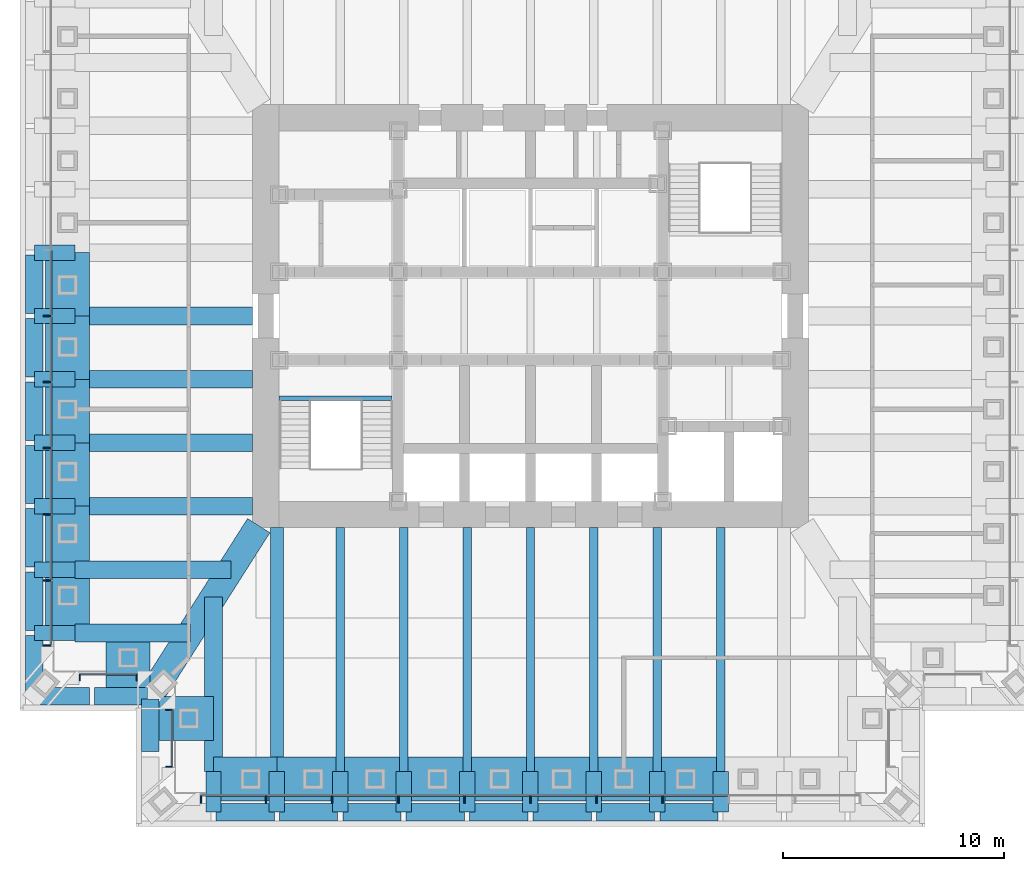
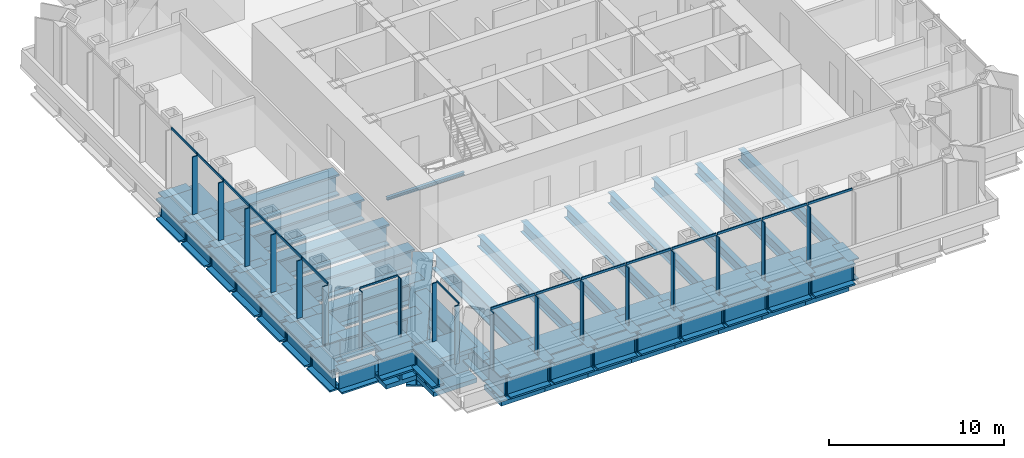
# One storey, part 2 of 12: 67 beams, 34 members, 4 elements without a shape of their own.
"""IFC4 building model written with IfcOpenShell, lengths in metres."""

from ifc_helpers import new_model, si_unit, direction, frame, origin, origin_2d, place, context, subcontext, project, spatial, rectangle, i_section, extrude, material, material_profile, profile_set, type_object, element, aggregate, save


model = new_model("IFC4")

# Units and contexts
model_context = context("Model", 3, precision=1e-05, world=origin(), true_north=direction((0.0, 1.0)))
body_context = subcontext(model_context, "Body", "Model", "MODEL_VIEW")
ifc_project = project(units=[si_unit("LENGTHUNIT", "METRE"), si_unit("AREAUNIT", "SQUARE_METRE"), si_unit("VOLUMEUNIT", "CUBIC_METRE"), si_unit("PLANEANGLEUNIT", "RADIAN"), si_unit("MASSUNIT", "GRAM", prefix="KILO")], contexts=[model_context])

# Site, building, storey
site_placement = place(None, origin())
site = spatial("IfcSite", under=ifc_project, at=site_placement, CompositionType="ELEMENT")
building_placement = place(site_placement, origin())
building = spatial("IfcBuilding", under=site, at=building_placement, Name="Daluyong Arena Tower", CompositionType="ELEMENT")
storey_placement = place(building_placement, frame((0.0, 0.0, 181.300048828125)))
storey = spatial("IfcBuildingStorey", under=building, at=storey_placement, Name="L40", CompositionType="ELEMENT", Elevation=181.300048828125)

# Curtain wall, members
ifc_material_1 = material(Name="Bronze anodised aluminium and glass", Category="aluminium")
curtain_wall_type_1 = type_object("IfcCurtainWallType", Name="Curtain wall CW3", PredefinedType="USERDEFINED", material=ifc_material_1)
curtain_wall_1_placement = place(storey_placement, origin())
curtain_wall_1 = element("IfcCurtainWall", 1, at=curtain_wall_1_placement, inside=storey, type_object=curtain_wall_type_1, Name="curtain wall L40 S", ObjectType="UNITISED CURTAIN WALL", PredefinedType="USERDEFINED")
ifc_material_2 = material(Name="Bronze anodised aluminium fin", Category="aluminium")
ifc_material_profile_1 = material_profile(ifc_material_2, rectangle(XDim=0.35009765625, YDim=0.070068359375, at=origin_2d()))
ifc_profile_set_1 = profile_set([ifc_material_profile_1], Name="Bronze anodised aluminium fin")
member_type_1 = type_object("IfcMemberType", Name="CW3 bronze fin 350x70", PredefinedType="MULLION", material=ifc_profile_set_1)
member_1_placement = place(storey_placement, frame((41.050537109375, 58.074951171875, 0.0), z_axis=(0.0, 0.0, 1.0), x_axis=(0.0, 1.0, 0.0)))
member_1 = element("IfcMember", 2, at=member_1_placement, type_object=member_type_1, Name="curtain wall L40 S fin 1", PredefinedType="MULLION", context=body_context, shape_type="SweptSolid", body=[
    extrude(rectangle(XDim=0.35009765625, YDim=0.070068359375, at=origin_2d()), origin(), (0.0, 0.0, 1.0), 4.0400390625),
])
member_2_placement = place(storey_placement, frame((44.012451171875, 58.074951171875, 0.0), z_axis=(0.0, 0.0, 1.0), x_axis=(0.0, 1.0, 0.0)))
member_2 = element("IfcMember", 3, at=member_2_placement, type_object=member_type_1, Name="curtain wall L40 S fin 2", PredefinedType="MULLION", context=body_context, shape_type="SweptSolid", body=[
    extrude(rectangle(XDim=0.35009765625, YDim=0.070068359375, at=origin_2d()), origin(), (0.0, 0.0, 1.0), 4.0400390625),
])
member_3_placement = place(storey_placement, frame((47.00927734375, 58.074951171875, 0.0), z_axis=(0.0, 0.0, 1.0), x_axis=(0.0, 1.0, 0.0)))
member_3 = element("IfcMember", 4, at=member_3_placement, type_object=member_type_1, Name="curtain wall L40 S fin 3", PredefinedType="MULLION", context=body_context, shape_type="SweptSolid", body=[
    extrude(rectangle(XDim=0.35009765625, YDim=0.070068359375, at=origin_2d()), origin(), (0.0, 0.0, 1.0), 4.0400390625),
])
member_4_placement = place(storey_placement, frame((50.006103515625, 58.074951171875, 0.0), z_axis=(0.0, 0.0, 1.0), x_axis=(0.0, 1.0, 0.0)))
member_4 = element("IfcMember", 5, at=member_4_placement, type_object=member_type_1, Name="curtain wall L40 S fin 4", PredefinedType="MULLION", context=body_context, shape_type="SweptSolid", body=[
    extrude(rectangle(XDim=0.35009765625, YDim=0.070068359375, at=origin_2d()), origin(), (0.0, 0.0, 1.0), 4.0400390625),
])
member_5_placement = place(storey_placement, frame((53.003173828125, 58.074951171875, 0.0), z_axis=(0.0, 0.0, 1.0), x_axis=(0.0, 1.0, 0.0)))
member_5 = element("IfcMember", 6, at=member_5_placement, type_object=member_type_1, Name="curtain wall L40 S fin 5", PredefinedType="MULLION", context=body_context, shape_type="SweptSolid", body=[
    extrude(rectangle(XDim=0.35009765625, YDim=0.070068359375, at=origin_2d()), origin(), (0.0, 0.0, 1.0), 4.0400390625),
])
member_6_placement = place(storey_placement, frame((56.0, 58.074951171875, 0.0), z_axis=(0.0, 0.0, 1.0), x_axis=(0.0, 1.0, 0.0)))
member_6 = element("IfcMember", 7, at=member_6_placement, type_object=member_type_1, Name="curtain wall L40 S fin 6", PredefinedType="MULLION", context=body_context, shape_type="SweptSolid", body=[
    extrude(rectangle(XDim=0.35009765625, YDim=0.070068359375, at=origin_2d()), origin(), (0.0, 0.0, 1.0), 4.0400390625),
])
member_7_placement = place(storey_placement, frame((58.996826171875, 58.074951171875, 0.0), z_axis=(0.0, 0.0, 1.0), x_axis=(0.0, 1.0, 0.0)))
member_7 = element("IfcMember", 8, at=member_7_placement, type_object=member_type_1, Name="curtain wall L40 S fin 7", PredefinedType="MULLION", context=body_context, shape_type="SweptSolid", body=[
    extrude(rectangle(XDim=0.35009765625, YDim=0.070068359375, at=origin_2d()), origin(), (0.0, 0.0, 1.0), 4.0400390625),
])
member_8_placement = place(storey_placement, frame((61.993896484375, 58.074951171875, 0.0), z_axis=(0.0, 0.0, 1.0), x_axis=(0.0, 1.0, 0.0)))
member_8 = element("IfcMember", 9, at=member_8_placement, type_object=member_type_1, Name="curtain wall L40 S fin 8", PredefinedType="MULLION", context=body_context, shape_type="SweptSolid", body=[
    extrude(rectangle(XDim=0.35009765625, YDim=0.070068359375, at=origin_2d()), origin(), (0.0, 0.0, 1.0), 4.0400390625),
])

curtain_wall_2_placement = place(storey_placement, origin())
curtain_wall_2 = element("IfcCurtainWall", 10, at=curtain_wall_2_placement, inside=storey, type_object=curtain_wall_type_1, Name="curtain wall L40 W", ObjectType="UNITISED CURTAIN WALL", PredefinedType="USERDEFINED")
member_9_placement = place(storey_placement, frame((34.074951171875, 80.0, 0.0), z_axis=(0.0, 0.0, 1.0), x_axis=(1.0, 0.0, 0.0)))
member_9 = element("IfcMember", 11, at=member_9_placement, type_object=member_type_1, Name="curtain wall L40 W fin 6", PredefinedType="MULLION", context=body_context, shape_type="SweptSolid", body=[
    extrude(rectangle(XDim=0.35009765625, YDim=0.070068359375, at=origin_2d()), origin(), (0.0, 0.0, 1.0), 4.0400390625),
])
member_10_placement = place(storey_placement, frame((34.074951171875, 77.003173828125, 0.0), z_axis=(0.0, 0.0, 1.0), x_axis=(1.0, 0.0, 0.0)))
member_10 = element("IfcMember", 12, at=member_10_placement, type_object=member_type_1, Name="curtain wall L40 W fin 7", PredefinedType="MULLION", context=body_context, shape_type="SweptSolid", body=[
    extrude(rectangle(XDim=0.35009765625, YDim=0.070068359375, at=origin_2d()), origin(), (0.0, 0.0, 1.0), 4.0400390625),
])
member_11_placement = place(storey_placement, frame((34.074951171875, 74.006103515625, 0.0), z_axis=(0.0, 0.0, 1.0), x_axis=(1.0, 0.0, 0.0)))
member_11 = element("IfcMember", 13, at=member_11_placement, type_object=member_type_1, Name="curtain wall L40 W fin 8", PredefinedType="MULLION", context=body_context, shape_type="SweptSolid", body=[
    extrude(rectangle(XDim=0.35009765625, YDim=0.070068359375, at=origin_2d()), origin(), (0.0, 0.0, 1.0), 4.0400390625),
])
member_12_placement = place(storey_placement, frame((34.074951171875, 71.00927734375, 0.0), z_axis=(0.0, 0.0, 1.0), x_axis=(1.0, 0.0, 0.0)))
member_12 = element("IfcMember", 14, at=member_12_placement, type_object=member_type_1, Name="curtain wall L40 W fin 9", PredefinedType="MULLION", context=body_context, shape_type="SweptSolid", body=[
    extrude(rectangle(XDim=0.35009765625, YDim=0.070068359375, at=origin_2d()), origin(), (0.0, 0.0, 1.0), 4.0400390625),
])
member_13_placement = place(storey_placement, frame((34.074951171875, 68.012451171875, 0.0), z_axis=(0.0, 0.0, 1.0), x_axis=(1.0, 0.0, 0.0)))
member_13 = element("IfcMember", 15, at=member_13_placement, type_object=member_type_1, Name="curtain wall L40 W fin 10", PredefinedType="MULLION", context=body_context, shape_type="SweptSolid", body=[
    extrude(rectangle(XDim=0.35009765625, YDim=0.070068359375, at=origin_2d()), origin(), (0.0, 0.0, 1.0), 4.0400390625),
])
member_14_placement = place(storey_placement, frame((34.074951171875, 65.050537109375, 0.0), z_axis=(0.0, 0.0, 1.0), x_axis=(1.0, 0.0, 0.0)))
member_14 = element("IfcMember", 16, at=member_14_placement, type_object=member_type_1, Name="curtain wall L40 W fin 11", PredefinedType="MULLION", context=body_context, shape_type="SweptSolid", body=[
    extrude(rectangle(XDim=0.35009765625, YDim=0.070068359375, at=origin_2d()), origin(), (0.0, 0.0, 1.0), 4.0400390625),
])

# Member
ifc_material_3 = material(Name="Bronze anodised aluminium", Category="aluminium")
ifc_material_profile_2 = material_profile(ifc_material_3, rectangle(XDim=0.070068359375, YDim=0.159912109375, at=origin_2d()))
ifc_profile_set_2 = profile_set([ifc_material_profile_2], Name="Bronze anodised aluminium")
member_type_2 = type_object("IfcMemberType", Name="CW3 stack transom 160x70", PredefinedType="USERDEFINED", material=ifc_profile_set_2)
member_15_placement = place(storey_placement, frame((41.08544921875, 58.25, 4.119873046875), z_axis=(1.0, 0.0, 0.0), x_axis=(0.0, 1.0, 0.0)))
member_15 = element("IfcMember", 17, at=member_15_placement, type_object=member_type_2, Name="curtain wall L40 S transom 1", ObjectType="TRANSOM", PredefinedType="USERDEFINED", context=body_context, shape_type="SweptSolid", body=[
    extrude(rectangle(XDim=0.070068359375, YDim=0.159912109375, at=origin_2d()), origin(), (0.0, 0.0, 1.0), 2.891845703125),
])

member_16_placement = place(storey_placement, frame((44.04736328125, 58.25, 4.119873046875), z_axis=(1.0, 0.0, 0.0), x_axis=(0.0, 1.0, 0.0)))
member_16 = element("IfcMember", 18, at=member_16_placement, type_object=member_type_2, Name="curtain wall L40 S transom 2", ObjectType="TRANSOM", PredefinedType="USERDEFINED", context=body_context, shape_type="SweptSolid", body=[
    extrude(rectangle(XDim=0.070068359375, YDim=0.159912109375, at=origin_2d()), origin(), (0.0, 0.0, 1.0), 2.927001953125),
])

member_17_placement = place(storey_placement, frame((47.044189453125, 58.25, 4.119873046875), z_axis=(1.0, 0.0, 0.0), x_axis=(0.0, 1.0, 0.0)))
member_17 = element("IfcMember", 19, at=member_17_placement, type_object=member_type_2, Name="curtain wall L40 S transom 3", ObjectType="TRANSOM", PredefinedType="USERDEFINED", context=body_context, shape_type="SweptSolid", body=[
    extrude(rectangle(XDim=0.070068359375, YDim=0.159912109375, at=origin_2d()), origin(), (0.0, 0.0, 1.0), 2.927001953125),
])

member_18_placement = place(storey_placement, frame((50.041259765625, 58.25, 4.119873046875), z_axis=(1.0, 0.0, 0.0), x_axis=(0.0, 1.0, 0.0)))
member_18 = element("IfcMember", 20, at=member_18_placement, type_object=member_type_2, Name="curtain wall L40 S transom 4", ObjectType="TRANSOM", PredefinedType="USERDEFINED", context=body_context, shape_type="SweptSolid", body=[
    extrude(rectangle(XDim=0.070068359375, YDim=0.159912109375, at=origin_2d()), origin(), (0.0, 0.0, 1.0), 2.9267578125),
])

member_19_placement = place(storey_placement, frame((53.0380859375, 58.25, 4.119873046875), z_axis=(1.0, 0.0, 0.0), x_axis=(0.0, 1.0, 0.0)))
member_19 = element("IfcMember", 21, at=member_19_placement, type_object=member_type_2, Name="curtain wall L40 S transom 5", ObjectType="TRANSOM", PredefinedType="USERDEFINED", context=body_context, shape_type="SweptSolid", body=[
    extrude(rectangle(XDim=0.070068359375, YDim=0.159912109375, at=origin_2d()), origin(), (0.0, 0.0, 1.0), 2.927001953125),
])

member_20_placement = place(storey_placement, frame((56.034912109375, 58.25, 4.119873046875), z_axis=(1.0, 0.0, 0.0), x_axis=(0.0, 1.0, 0.0)))
member_20 = element("IfcMember", 22, at=member_20_placement, type_object=member_type_2, Name="curtain wall L40 S transom 6", ObjectType="TRANSOM", PredefinedType="USERDEFINED", context=body_context, shape_type="SweptSolid", body=[
    extrude(rectangle(XDim=0.070068359375, YDim=0.159912109375, at=origin_2d()), origin(), (0.0, 0.0, 1.0), 2.927001953125),
])

member_21_placement = place(storey_placement, frame((59.031982421875, 58.25, 4.119873046875), z_axis=(1.0, 0.0, 0.0), x_axis=(0.0, 1.0, 0.0)))
member_21 = element("IfcMember", 23, at=member_21_placement, type_object=member_type_2, Name="curtain wall L40 S transom 7", ObjectType="TRANSOM", PredefinedType="USERDEFINED", context=body_context, shape_type="SweptSolid", body=[
    extrude(rectangle(XDim=0.070068359375, YDim=0.159912109375, at=origin_2d()), origin(), (0.0, 0.0, 1.0), 2.9267578125),
])

member_22_placement = place(storey_placement, frame((62.02880859375, 58.25, 4.119873046875), z_axis=(1.0, 0.0, 0.0), x_axis=(0.0, 1.0, 0.0)))
member_22 = element("IfcMember", 24, at=member_22_placement, type_object=member_type_2, Name="curtain wall L40 S transom 8", ObjectType="TRANSOM", PredefinedType="USERDEFINED", context=body_context, shape_type="SweptSolid", body=[
    extrude(rectangle(XDim=0.070068359375, YDim=0.159912109375, at=origin_2d()), origin(), (0.0, 0.0, 1.0), 2.927001953125),
])

aggregate(curtain_wall_1, [member_1, member_2, member_3, member_4, member_5, member_6, member_7, member_8, member_15, member_16, member_17, member_18, member_19, member_20, member_21, member_22])

member_23_placement = place(storey_placement, frame((34.25, 82.9619140625, 4.119873046875), z_axis=(0.0, -1.0, 0.0), x_axis=(1.0, 0.0, 0.0)))
member_23 = element("IfcMember", 25, at=member_23_placement, type_object=member_type_2, Name="curtain wall L40 W transom 5", ObjectType="TRANSOM", PredefinedType="USERDEFINED", context=body_context, shape_type="SweptSolid", body=[
    extrude(rectangle(XDim=0.070068359375, YDim=0.159912109375, at=origin_2d()), origin(), (0.0, 0.0, 1.0), 2.927001953125),
])

member_24_placement = place(storey_placement, frame((34.25, 79.965087890625, 4.119873046875), z_axis=(0.0, -1.0, 0.0), x_axis=(1.0, 0.0, 0.0)))
member_24 = element("IfcMember", 26, at=member_24_placement, type_object=member_type_2, Name="curtain wall L40 W transom 6", ObjectType="TRANSOM", PredefinedType="USERDEFINED", context=body_context, shape_type="SweptSolid", body=[
    extrude(rectangle(XDim=0.070068359375, YDim=0.159912109375, at=origin_2d()), origin(), (0.0, 0.0, 1.0), 2.927001953125),
])

member_25_placement = place(storey_placement, frame((34.25, 76.968017578125, 4.119873046875), z_axis=(0.0, -1.0, 0.0), x_axis=(1.0, 0.0, 0.0)))
member_25 = element("IfcMember", 27, at=member_25_placement, type_object=member_type_2, Name="curtain wall L40 W transom 7", ObjectType="TRANSOM", PredefinedType="USERDEFINED", context=body_context, shape_type="SweptSolid", body=[
    extrude(rectangle(XDim=0.070068359375, YDim=0.159912109375, at=origin_2d()), origin(), (0.0, 0.0, 1.0), 2.9267578125),
])

member_26_placement = place(storey_placement, frame((34.25, 73.97119140625, 4.119873046875), z_axis=(0.0, -1.0, 0.0), x_axis=(1.0, 0.0, 0.0)))
member_26 = element("IfcMember", 28, at=member_26_placement, type_object=member_type_2, Name="curtain wall L40 W transom 8", ObjectType="TRANSOM", PredefinedType="USERDEFINED", context=body_context, shape_type="SweptSolid", body=[
    extrude(rectangle(XDim=0.070068359375, YDim=0.159912109375, at=origin_2d()), origin(), (0.0, 0.0, 1.0), 2.927001953125),
])

member_27_placement = place(storey_placement, frame((34.25, 70.974365234375, 4.119873046875), z_axis=(0.0, -1.0, 0.0), x_axis=(1.0, 0.0, 0.0)))
member_27 = element("IfcMember", 29, at=member_27_placement, type_object=member_type_2, Name="curtain wall L40 W transom 9", ObjectType="TRANSOM", PredefinedType="USERDEFINED", context=body_context, shape_type="SweptSolid", body=[
    extrude(rectangle(XDim=0.070068359375, YDim=0.159912109375, at=origin_2d()), origin(), (0.0, 0.0, 1.0), 2.927001953125),
])

member_28_placement = place(storey_placement, frame((34.25, 67.977294921875, 4.119873046875), z_axis=(0.0, -1.0, 0.0), x_axis=(1.0, 0.0, 0.0)))
member_28 = element("IfcMember", 30, at=member_28_placement, type_object=member_type_2, Name="curtain wall L40 W transom 10", ObjectType="TRANSOM", PredefinedType="USERDEFINED", context=body_context, shape_type="SweptSolid", body=[
    extrude(rectangle(XDim=0.070068359375, YDim=0.159912109375, at=origin_2d()), origin(), (0.0, 0.0, 1.0), 2.891845703125),
])

aggregate(curtain_wall_2, [member_9, member_10, member_11, member_12, member_13, member_14, member_23, member_24, member_25, member_26, member_27, member_28])

# Curtain wall, members
ifc_material_4 = material(Name="Bronze anodised aluminium and glass", Category="aluminium")
curtain_wall_type_2 = type_object("IfcCurtainWallType", Name="Curtain wall CW7", PredefinedType="USERDEFINED", material=ifc_material_4)
curtain_wall_3_placement = place(storey_placement, origin())
curtain_wall_3 = element("IfcCurtainWall", 31, at=curtain_wall_3_placement, inside=storey, type_object=curtain_wall_type_2, Name="curtain wall L40 SW-S", ObjectType="UNITISED CURTAIN WALL", PredefinedType="USERDEFINED")
ifc_material_5 = material(Name="Bronze anodised aluminium fin", Category="aluminium")
ifc_material_profile_3 = material_profile(ifc_material_5, rectangle(XDim=0.300048828125, YDim=0.06005859375, at=origin_2d()))
ifc_profile_set_3 = profile_set([ifc_material_profile_3], Name="Bronze anodised aluminium fin")
member_type_3 = type_object("IfcMemberType", Name="CW7 bronze fin 300x60", PredefinedType="MULLION", material=ifc_profile_set_3)
member_29_placement = place(storey_placement, frame((35.55908203125, 63.60009765625, 0.0), z_axis=(0.0, 0.0, 1.0), x_axis=(0.0, 1.0, 0.0)))
member_29 = element("IfcMember", 32, at=member_29_placement, type_object=member_type_3, Name="curtain wall L40 SW-S fin 1", PredefinedType="MULLION", context=body_context, shape_type="SweptSolid", body=[
    extrude(rectangle(XDim=0.300048828125, YDim=0.06005859375, at=origin_2d()), origin(), (0.0, 0.0, 1.0), 4.079833984375),
])
member_30_placement = place(storey_placement, frame((38.14794921875, 63.60009765625, 0.0), z_axis=(0.0, 0.0, 1.0), x_axis=(0.0, 1.0, 0.0)))
member_30 = element("IfcMember", 33, at=member_30_placement, type_object=member_type_3, Name="curtain wall L40 SW-S fin 2", PredefinedType="MULLION", context=body_context, shape_type="SweptSolid", body=[
    extrude(rectangle(XDim=0.300048828125, YDim=0.06005859375, at=origin_2d()), origin(), (0.0, 0.0, 1.0), 4.079833984375),
])

curtain_wall_4_placement = place(storey_placement, origin())
curtain_wall_4 = element("IfcCurtainWall", 34, at=curtain_wall_4_placement, inside=storey, type_object=curtain_wall_type_2, Name="curtain wall L40 SW-W", ObjectType="UNITISED CURTAIN WALL", PredefinedType="USERDEFINED")
member_31_placement = place(storey_placement, frame((39.60009765625, 62.14794921875, 0.0), z_axis=(0.0, 0.0, 1.0), x_axis=(1.0, 0.0, 0.0)))
member_31 = element("IfcMember", 35, at=member_31_placement, type_object=member_type_3, Name="curtain wall L40 SW-W fin 1", PredefinedType="MULLION", context=body_context, shape_type="SweptSolid", body=[
    extrude(rectangle(XDim=0.300048828125, YDim=0.06005859375, at=origin_2d()), origin(), (0.0, 0.0, 1.0), 4.079833984375),
])
member_32_placement = place(storey_placement, frame((39.60009765625, 59.55908203125, 0.0), z_axis=(0.0, 0.0, 1.0), x_axis=(1.0, 0.0, 0.0)))
member_32 = element("IfcMember", 36, at=member_32_placement, type_object=member_type_3, Name="curtain wall L40 SW-W fin 2", PredefinedType="MULLION", context=body_context, shape_type="SweptSolid", body=[
    extrude(rectangle(XDim=0.300048828125, YDim=0.06005859375, at=origin_2d()), origin(), (0.0, 0.0, 1.0), 4.079833984375),
])

# Member
ifc_material_6 = material(Name="Bronze anodised aluminium", Category="aluminium")
ifc_material_profile_4 = material_profile(ifc_material_6, rectangle(XDim=0.06005859375, YDim=0.1201171875, at=origin_2d()))
ifc_profile_set_4 = profile_set([ifc_material_profile_4], Name="Bronze anodised aluminium")
member_type_4 = type_object("IfcMemberType", Name="CW7 stack transom 120x60", PredefinedType="USERDEFINED", material=ifc_profile_set_4)
member_33_placement = place(storey_placement, frame((35.589111328125, 63.75, 4.139892578125), z_axis=(1.0, 0.0, 0.0), x_axis=(0.0, 1.0, 0.0)))
member_33 = element("IfcMember", 37, at=member_33_placement, type_object=member_type_4, Name="curtain wall L40 SW-S transom 1", ObjectType="TRANSOM", PredefinedType="USERDEFINED", context=body_context, shape_type="SweptSolid", body=[
    extrude(rectangle(XDim=0.06005859375, YDim=0.1201171875, at=origin_2d()), origin(), (0.0, 0.0, 1.0), 2.52880859375),
])

aggregate(curtain_wall_3, [member_29, member_30, member_33])

member_34_placement = place(storey_placement, frame((39.75, 62.117919921875, 4.139892578125), z_axis=(0.0, -1.0, 0.0), x_axis=(1.0, 0.0, 0.0)))
member_34 = element("IfcMember", 38, at=member_34_placement, type_object=member_type_4, Name="curtain wall L40 SW-W transom 1", ObjectType="TRANSOM", PredefinedType="USERDEFINED", context=body_context, shape_type="SweptSolid", body=[
    extrude(rectangle(XDim=0.06005859375, YDim=0.1201171875, at=origin_2d()), origin(), (0.0, 0.0, 1.0), 2.52880859375),
])

aggregate(curtain_wall_4, [member_31, member_32, member_34])

# Beams
ifc_material_7 = material(Name="Steel ASTM A588 Grade 50", Category="steel")
ifc_material_profile_5 = material_profile(ifc_material_7, i_section(OverallWidth=0.800048828125, OverallDepth=1.5, WebThickness=0.05, FlangeThickness=0.12, at=origin_2d()))
ifc_profile_set_5 = profile_set([ifc_material_profile_5], Name="Steel ASTM A588 Grade 50")
beam_type_1 = type_object("IfcBeamType", Name="Floor beam PG1500X800", PredefinedType="BEAM", material=ifc_profile_set_5)
beam_1_placement = place(storey_placement, frame((41.625, 59.35009765625, -1.0), z_axis=(0.0, 1.0, 0.0), x_axis=(-1.0, 0.0, 0.0)))
element("IfcBeam", 39, at=beam_1_placement, inside=storey, type_object=beam_type_1, Name="floor beam FB9", PredefinedType="BEAM", context=body_context, shape_type="SweptSolid", body=[
    extrude(i_section(OverallWidth=0.800048828125, OverallDepth=1.5, WebThickness=0.05, FlangeThickness=0.12, at=origin_2d()), origin(), (0.0, 0.0, 1.0), 7.917724609375),
])
for number, where, z_axis, x_axis, name in (
    (40, (35.35009765625, 80.0, -1.0), (1.0, 0.0, 0.0), (0.0, 1.0, 0.0), "floor beam FB9"),
    (41, (35.35009765625, 77.125, -1.0), (1.0, 0.0, 0.0), (0.0, 1.0, 0.0), "floor beam FB9"),
    (42, (35.35009765625, 74.25, -1.0), (1.0, 0.0, 0.0), (0.0, 1.0, 0.0), "floor beam FB9"),
    (43, (35.35009765625, 71.375, -1.0), (1.0, 0.0, 0.0), (0.0, 1.0, 0.0), "floor beam FB9"),
):
    element("IfcBeam", number, at=place(storey_placement, frame(where, z_axis=z_axis, x_axis=x_axis)), inside=storey, type_object=beam_type_1, Name=name, PredefinedType="BEAM", context=body_context, shape_type="SweptSolid", body=[
        extrude(i_section(OverallWidth=0.800048828125, OverallDepth=1.5, WebThickness=0.05, FlangeThickness=0.12, at=origin_2d()), origin(), (0.0, 0.0, 1.0), 8.0498046875),
    ])
beam_2_placement = place(storey_placement, frame((35.35009765625, 68.5, -1.0), z_axis=(1.0, 0.0, 0.0), x_axis=(0.0, 1.0, 0.0)))
element("IfcBeam", 44, at=beam_2_placement, inside=storey, type_object=beam_type_1, Name="floor beam FB9", PredefinedType="BEAM", context=body_context, shape_type="SweptSolid", body=[
    extrude(i_section(OverallWidth=0.800048828125, OverallDepth=1.5, WebThickness=0.05, FlangeThickness=0.12, at=origin_2d()), origin(), (0.0, 0.0, 1.0), 7.05908203125),
])
beam_3_placement = place(storey_placement, frame((35.35009765625, 65.625, -1.0), z_axis=(1.0, 0.0, 0.0), x_axis=(0.0, 1.0, 0.0)))
element("IfcBeam", 45, at=beam_3_placement, inside=storey, type_object=beam_type_1, Name="floor beam FB9", PredefinedType="BEAM", context=body_context, shape_type="SweptSolid", body=[
    extrude(i_section(OverallWidth=0.800048828125, OverallDepth=1.5, WebThickness=0.05, FlangeThickness=0.12, at=origin_2d()), origin(), (0.0, 0.0, 1.0), 5.2294921875),
])
ifc_material_8 = material(Name="Steel ASTM A572 Grade 50", Category="steel")
ifc_material_profile_6 = material_profile(ifc_material_8, i_section(OverallWidth=0.60009765625, OverallDepth=1.300048828125, WebThickness=0.035, FlangeThickness=0.07, at=origin_2d()))
ifc_profile_set_6 = profile_set([ifc_material_profile_6], Name="Steel ASTM A572 Grade 50")
beam_type_2 = type_object("IfcBeamType", Name="Floor beam TB1300X600", PredefinedType="BEAM", material=ifc_profile_set_6)
beam_4_placement = place(storey_placement, frame((44.5, 59.35009765625, -0.900146484375), z_axis=(0.0, 1.0, 0.0), x_axis=(-1.0, 0.0, 0.0)))
element("IfcBeam", 46, at=beam_4_placement, inside=storey, type_object=beam_type_2, Name="floor beam FB7", PredefinedType="BEAM", context=body_context, shape_type="SweptSolid", body=[
    extrude(i_section(OverallWidth=0.60009765625, OverallDepth=1.300048828125, WebThickness=0.035, FlangeThickness=0.07, at=origin_2d()), origin(), (0.0, 0.0, 1.0), 11.0498046875),
])
ifc_material_9 = material(Name="Steel ASTM A992 Grade 50", Category="steel")
ifc_material_profile_7 = material_profile(ifc_material_9, i_section(OverallWidth=0.381103515625, OverallDepth=0.772216796875, WebThickness=0.0166015625, FlangeThickness=0.027099609375, at=origin_2d()))
ifc_profile_set_7 = profile_set([ifc_material_profile_7], Name="Steel ASTM A992 Grade 50")
beam_type_3 = type_object("IfcBeamType", Name="Floor beam W30X173", PredefinedType="BEAM", material=ifc_profile_set_7)
for number, where, z_axis, x_axis, name in (
    (47, (47.375, 59.35009765625, -0.63623046875), (0.0, 1.0, 0.0), (-1.0, 0.0, 0.0), "floor beam FB2"),
    (48, (50.25, 59.35009765625, -0.63623046875), (0.0, 1.0, 0.0), (-1.0, 0.0, 0.0), "floor beam FB2"),
    (49, (53.125, 59.35009765625, -0.63623046875), (0.0, 1.0, 0.0), (-1.0, 0.0, 0.0), "floor beam FB2"),
    (50, (56.0, 59.35009765625, -0.63623046875), (0.0, 1.0, 0.0), (-1.0, 0.0, 0.0), "floor beam FB2"),
    (51, (58.875, 59.35009765625, -0.63623046875), (0.0, 1.0, 0.0), (-1.0, 0.0, 0.0), "floor beam FB2"),
    (52, (61.75, 59.35009765625, -0.63623046875), (0.0, 1.0, 0.0), (-1.0, 0.0, 0.0), "floor beam FB2"),
    (53, (64.625, 59.35009765625, -0.63623046875), (0.0, 1.0, 0.0), (-1.0, 0.0, 0.0), "floor beam FB2"),
):
    element("IfcBeam", number, at=place(storey_placement, frame(where, z_axis=z_axis, x_axis=x_axis)), inside=storey, type_object=beam_type_3, Name=name, PredefinedType="BEAM", context=body_context, shape_type="SweptSolid", body=[
        extrude(i_section(OverallWidth=0.381103515625, OverallDepth=0.772216796875, WebThickness=0.0166015625, FlangeThickness=0.027099609375, at=origin_2d()), origin(), (0.0, 0.0, 1.0), 11.0498046875),
    ])
ifc_material_10 = material(Name="Steel ASTM A588 Grade 50", Category="steel")
ifc_material_profile_8 = material_profile(ifc_material_10, i_section(OverallWidth=0.800048828125, OverallDepth=1.5, WebThickness=0.05, FlangeThickness=0.12, at=origin_2d()))
ifc_profile_set_8 = profile_set([ifc_material_profile_8], Name="Steel ASTM A588 Grade 50")
beam_type_4 = type_object("IfcBeamType", Name="Spandrel Z2 PG1500X800", PredefinedType="SPANDREL", material=ifc_profile_set_8)
for number, where, z_axis, x_axis, name in (
    (54, (41.739990234375, 57.5, -1.0), (1.0, 0.0, 0.0), (0.0, 1.0, 0.0), "spandrel z2 SB5"),
    (55, (44.614990234375, 57.5, -1.0), (1.0, 0.0, 0.0), (0.0, 1.0, 0.0), "spandrel z2 SB5"),
    (56, (47.489990234375, 57.5, -1.0), (1.0, 0.0, 0.0), (0.0, 1.0, 0.0), "spandrel z2 SB5"),
    (57, (50.364990234375, 57.5, -1.0), (1.0, 0.0, 0.0), (0.0, 1.0, 0.0), "spandrel z2 SB5"),
    (58, (53.239990234375, 57.5, -1.0), (1.0, 0.0, 0.0), (0.0, 1.0, 0.0), "spandrel z2 SB5"),
    (59, (56.114990234375, 57.5, -1.0), (1.0, 0.0, 0.0), (0.0, 1.0, 0.0), "spandrel z2 SB5"),
    (60, (58.989990234375, 57.5, -1.0), (1.0, 0.0, 0.0), (0.0, 1.0, 0.0), "spandrel z2 SB5"),
    (61, (61.864990234375, 57.5, -1.0), (1.0, 0.0, 0.0), (0.0, 1.0, 0.0), "spandrel z2 SB5"),
    (62, (33.5, 82.760009765625, -1.0), (0.0, -1.0, 0.0), (1.0, 0.0, 0.0), "spandrel z2 SB5"),
    (63, (33.5, 79.885009765625, -1.0), (0.0, -1.0, 0.0), (1.0, 0.0, 0.0), "spandrel z2 SB5"),
    (64, (33.5, 77.010009765625, -1.0), (0.0, -1.0, 0.0), (1.0, 0.0, 0.0), "spandrel z2 SB5"),
    (65, (33.5, 74.135009765625, -1.0), (0.0, -1.0, 0.0), (1.0, 0.0, 0.0), "spandrel z2 SB5"),
    (66, (33.5, 71.260009765625, -1.0), (0.0, -1.0, 0.0), (1.0, 0.0, 0.0), "spandrel z2 SB5"),
    (67, (33.5, 68.385009765625, -1.0), (0.0, -1.0, 0.0), (1.0, 0.0, 0.0), "spandrel z2 SB5"),
    (68, (33.5, 65.510009765625, -1.0), (0.0, -1.0, 0.0), (1.0, 0.0, 0.0), "spandrel z2 SB5"),
):
    element("IfcBeam", number, at=place(storey_placement, frame(where, z_axis=z_axis, x_axis=x_axis)), inside=storey, type_object=beam_type_4, Name=name, PredefinedType="SPANDREL", context=body_context, shape_type="SweptSolid", body=[
        extrude(i_section(OverallWidth=0.800048828125, OverallDepth=1.5, WebThickness=0.05, FlangeThickness=0.12, at=origin_2d()), origin(), (0.0, 0.0, 1.0), 2.64501953125),
    ])
for number, where, z_axis, x_axis, name in (
    (69, (33.614990234375, 62.75, -1.0), (1.0, 0.0, 0.0), (0.0, 1.0, 0.0), "spandrel z2 SB5"),
    (70, (36.239990234375, 62.75, -1.0), (1.0, 0.0, 0.0), (0.0, 1.0, 0.0), "spandrel z2 SB5"),
    (71, (38.75, 62.635009765625, -1.0), (0.0, -1.0, 0.0), (1.0, 0.0, 0.0), "spandrel z2 SB5"),
):
    element("IfcBeam", number, at=place(storey_placement, frame(where, z_axis=z_axis, x_axis=x_axis)), inside=storey, type_object=beam_type_4, Name=name, PredefinedType="SPANDREL", context=body_context, shape_type="SweptSolid", body=[
        extrude(i_section(OverallWidth=0.800048828125, OverallDepth=1.5, WebThickness=0.05, FlangeThickness=0.12, at=origin_2d()), origin(), (0.0, 0.0, 1.0), 2.39501953125),
    ])
ifc_material_11 = material(Name="Steel ASTM A992 Grade 50", Category="steel")
ifc_material_profile_9 = material_profile(ifc_material_11, i_section(OverallWidth=0.203125, OverallDepth=0.203125, WebThickness=0.00732421875, FlangeThickness=0.010986328125, at=origin_2d()))
ifc_profile_set_9 = profile_set([ifc_material_profile_9], Name="Steel ASTM A992 Grade 50")
beam_type_5 = type_object("IfcBeamType", Name="Stair landing beam W8X31", PredefinedType="BEAM", material=ifc_profile_set_9)
beam_5_placement = place(storey_placement, frame((44.60009765625, 76.276611328125, -0.3515625), z_axis=(1.0, 0.0, 0.0), x_axis=(0.0, 1.0, 0.0)))
element("IfcBeam", 72, at=beam_5_placement, inside=storey, type_object=beam_type_5, Name="exit stair A landing beam", PredefinedType="BEAM", context=body_context, shape_type="SweptSolid", body=[
    extrude(i_section(OverallWidth=0.203125, OverallDepth=0.203125, WebThickness=0.00732421875, FlangeThickness=0.010986328125, at=origin_2d()), origin(), (0.0, 0.0, 1.0), 5.125),
])
ifc_material_12 = material(Name="Steel ASTM A572 Grade 50", Category="steel")
ifc_material_profile_10 = material_profile(ifc_material_12, i_section(OverallWidth=0.699951171875, OverallDepth=1.5, WebThickness=0.04, FlangeThickness=0.08, at=origin_2d()))
ifc_profile_set_10 = profile_set([ifc_material_profile_10], Name="Steel ASTM A572 Grade 50")
beam_type_6 = type_object("IfcBeamType", Name="Transfer beam PG1500X700", PredefinedType="BEAM", material=ifc_profile_set_10)
for number, where, z_axis, x_axis, name in (
    (73, (41.625, 57.5, -1.0), (0.0, 1.0, 0.0), (-1.0, 0.0, 0.0), "transfer beam TR6"),
    (74, (44.5, 57.5, -1.0), (0.0, 1.0, 0.0), (-1.0, 0.0, 0.0), "transfer beam TR6"),
    (75, (47.375, 57.5, -1.0), (0.0, 1.0, 0.0), (-1.0, 0.0, 0.0), "transfer beam TR6"),
    (76, (50.25, 57.5, -1.0), (0.0, 1.0, 0.0), (-1.0, 0.0, 0.0), "transfer beam TR6"),
    (77, (53.125, 57.5, -1.0), (0.0, 1.0, 0.0), (-1.0, 0.0, 0.0), "transfer beam TR6"),
    (78, (56.0, 57.5, -1.0), (0.0, 1.0, 0.0), (-1.0, 0.0, 0.0), "transfer beam TR6"),
    (79, (58.875, 57.5, -1.0), (0.0, 1.0, 0.0), (-1.0, 0.0, 0.0), "transfer beam TR6"),
    (80, (61.75, 57.5, -1.0), (0.0, 1.0, 0.0), (-1.0, 0.0, 0.0), "transfer beam TR6"),
    (81, (64.625, 57.5, -1.0), (0.0, 1.0, 0.0), (-1.0, 0.0, 0.0), "transfer beam TR6"),
    (82, (33.5, 82.875, -1.0), (1.0, 0.0, 0.0), (0.0, 1.0, 0.0), "transfer beam TR6"),
    (83, (33.5, 80.0, -1.0), (1.0, 0.0, 0.0), (0.0, 1.0, 0.0), "transfer beam TR6"),
    (84, (33.5, 77.125, -1.0), (1.0, 0.0, 0.0), (0.0, 1.0, 0.0), "transfer beam TR6"),
    (85, (33.5, 74.25, -1.0), (1.0, 0.0, 0.0), (0.0, 1.0, 0.0), "transfer beam TR6"),
    (86, (33.5, 71.375, -1.0), (1.0, 0.0, 0.0), (0.0, 1.0, 0.0), "transfer beam TR6"),
    (87, (33.5, 68.5, -1.0), (1.0, 0.0, 0.0), (0.0, 1.0, 0.0), "transfer beam TR6"),
    (88, (33.5, 65.625, -1.0), (1.0, 0.0, 0.0), (0.0, 1.0, 0.0), "transfer beam TR6"),
):
    element("IfcBeam", number, at=place(storey_placement, frame(where, z_axis=z_axis, x_axis=x_axis)), inside=storey, type_object=beam_type_6, Name=name, PredefinedType="BEAM", context=body_context, shape_type="SweptSolid", body=[
        extrude(i_section(OverallWidth=0.699951171875, OverallDepth=1.5, WebThickness=0.04, FlangeThickness=0.08, at=origin_2d()), origin(), (0.0, 0.0, 1.0), 1.85009765625),
    ])
ifc_material_13 = material(Name="Steel ASTM A36", Category="steel")
ifc_material_profile_11 = material_profile(ifc_material_13, i_section(OverallWidth=2.0, OverallDepth=2.5, WebThickness=0.12, FlangeThickness=0.3, at=origin_2d()))
ifc_profile_set_11 = profile_set([ifc_material_profile_11], Name="Steel ASTM A36")
beam_type_7 = type_object("IfcBeamType", Name="Transfer beam PG2500X2000", PredefinedType="BEAM", material=ifc_profile_set_11)
for number, where, z_axis, x_axis, name in (
    (89, (41.625, 59.0, -1.5), (1.0, 0.0, 0.0), (0.0, 1.0, 0.0), "transfer beam TR3"),
    (90, (44.5, 59.0, -1.5), (1.0, 0.0, 0.0), (0.0, 1.0, 0.0), "transfer beam TR3"),
    (91, (47.375, 59.0, -1.5), (1.0, 0.0, 0.0), (0.0, 1.0, 0.0), "transfer beam TR3"),
    (92, (50.25, 59.0, -1.5), (1.0, 0.0, 0.0), (0.0, 1.0, 0.0), "transfer beam TR3"),
    (93, (53.125, 59.0, -1.5), (1.0, 0.0, 0.0), (0.0, 1.0, 0.0), "transfer beam TR3"),
    (94, (56.0, 59.0, -1.5), (1.0, 0.0, 0.0), (0.0, 1.0, 0.0), "transfer beam TR3"),
    (95, (58.875, 59.0, -1.5), (1.0, 0.0, 0.0), (0.0, 1.0, 0.0), "transfer beam TR3"),
    (96, (61.75, 59.0, -1.5), (1.0, 0.0, 0.0), (0.0, 1.0, 0.0), "transfer beam TR3"),
    (97, (38.75, 61.75, -1.5), (1.0, 0.0, 0.0), (0.0, 1.0, 0.0), "transfer beam TR3"),
    (98, (35.0, 65.625, -1.5), (0.0, 1.0, 0.0), (-1.0, 0.0, 0.0), "transfer beam TR3"),
    (99, (35.0, 68.5, -1.5), (0.0, 1.0, 0.0), (-1.0, 0.0, 0.0), "transfer beam TR3"),
    (100, (35.0, 71.375, -1.5), (0.0, 1.0, 0.0), (-1.0, 0.0, 0.0), "transfer beam TR3"),
    (101, (35.0, 74.25, -1.5), (0.0, 1.0, 0.0), (-1.0, 0.0, 0.0), "transfer beam TR3"),
    (102, (35.0, 77.125, -1.5), (0.0, 1.0, 0.0), (-1.0, 0.0, 0.0), "transfer beam TR3"),
    (103, (35.0, 80.0, -1.5), (0.0, 1.0, 0.0), (-1.0, 0.0, 0.0), "transfer beam TR3"),
    (104, (37.75, 62.75, -1.5), (0.0, 1.0, 0.0), (-1.0, 0.0, 0.0), "transfer beam TR3"),
):
    element("IfcBeam", number, at=place(storey_placement, frame(where, z_axis=z_axis, x_axis=x_axis)), inside=storey, type_object=beam_type_7, Name=name, PredefinedType="BEAM", context=body_context, shape_type="SweptSolid", body=[
        extrude(i_section(OverallWidth=2.0, OverallDepth=2.5, WebThickness=0.12, FlangeThickness=0.3, at=origin_2d()), origin(), (0.0, 0.0, 1.0), 2.875),
    ])
ifc_material_14 = material(Name="Steel ASTM A588 Grade 50", Category="steel")
ifc_material_profile_12 = material_profile(ifc_material_14, i_section(OverallWidth=1.199951171875, OverallDepth=3.0, WebThickness=0.06, FlangeThickness=0.12, at=origin_2d()))
ifc_profile_set_12 = profile_set([ifc_material_profile_12], Name="Steel ASTM A588 Grade 50")
beam_type_8 = type_object("IfcBeamType", Name="Transfer beam PG3000X1200", PredefinedType="BEAM", material=ifc_profile_set_12)
beam_6_placement = place(storey_placement, frame((38.75, 62.75, -1.75), z_axis=(0.536878934272, 0.843659297308, 0.0), x_axis=(-0.843659297308, 0.536878934272, 0.0)))
element("IfcBeam", 105, at=beam_6_placement, inside=storey, type_object=beam_type_8, Name="transfer beam TR5", PredefinedType="BEAM", context=body_context, shape_type="SweptSolid", body=[
    extrude(i_section(OverallWidth=1.199951171875, OverallDepth=3.0, WebThickness=0.06, FlangeThickness=0.12, at=origin_2d()), origin(), (0.0, 0.0, 1.0), 9.178955078125),
])

save(model, "model.ifc")
